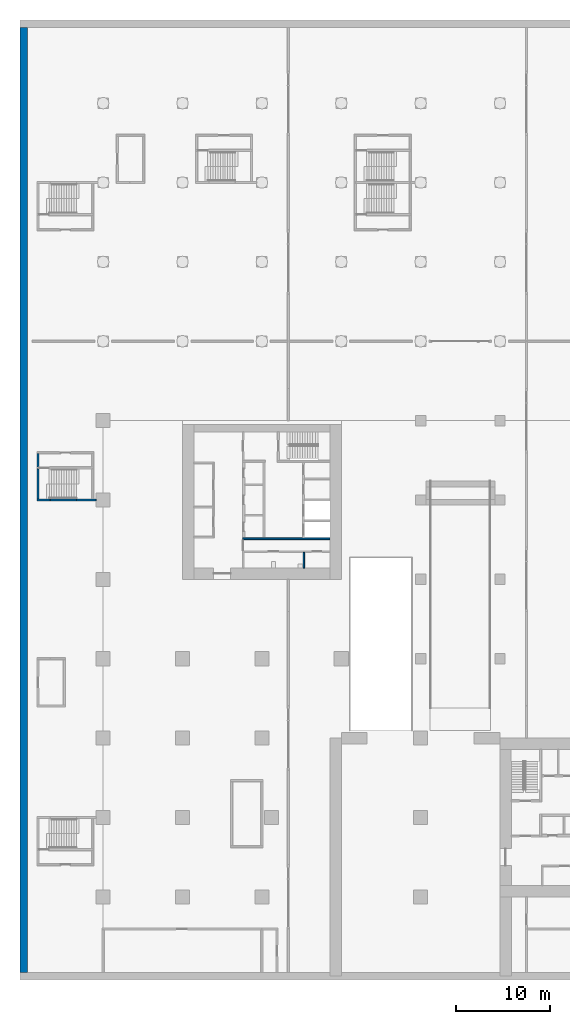
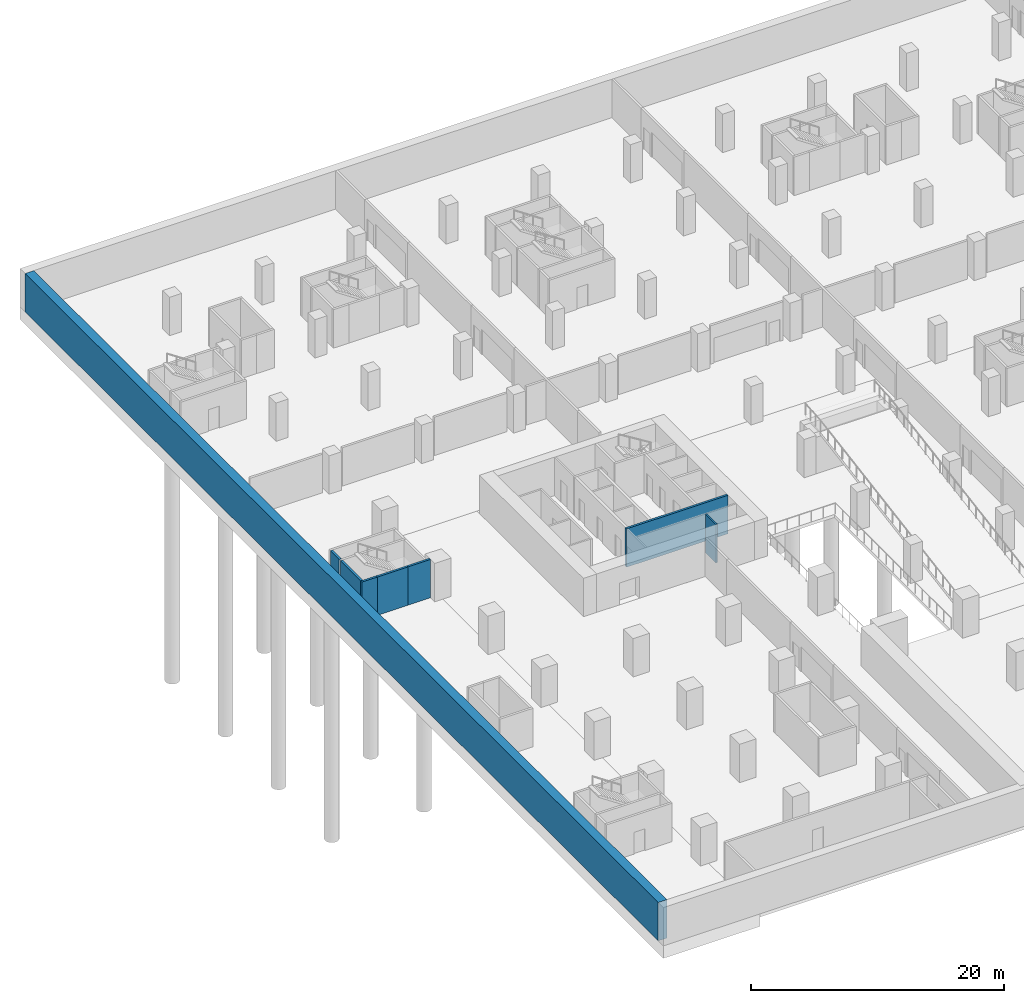
# One storey, part 5 of 19: 8 walls.
"""IFC4 building model written with IfcOpenShell, lengths in metres."""

from ifc_helpers import new_model, si_unit, direction, frame, frame_2d, origin, place, context, subcontext, project, spatial, rectangle, extrude, material, layer, layer_set, type_object, element, save


model = new_model("IFC4")

# Units and contexts
model_context = context("Model", 3, precision=1e-05, world=origin(), true_north=direction((0.0, 1.0)))
body_context = subcontext(model_context, "Body", "Model", "MODEL_VIEW")
ifc_project = project(units=[si_unit("LENGTHUNIT", "METRE"), si_unit("AREAUNIT", "SQUARE_METRE"), si_unit("VOLUMEUNIT", "CUBIC_METRE"), si_unit("PLANEANGLEUNIT", "RADIAN"), si_unit("MASSUNIT", "GRAM", prefix="KILO")], contexts=[model_context])

# Site, building, storey
site_placement = place(None, origin())
site = spatial("IfcSite", under=ifc_project, at=site_placement, CompositionType="ELEMENT")
building_placement = place(site_placement, origin())
building = spatial("IfcBuilding", under=site, at=building_placement, Name="Vermilion Gate Residences", CompositionType="ELEMENT")
storey_placement = place(building_placement, frame((0.0, 0.0, -8.0)))
storey = spatial("IfcBuildingStorey", under=building, at=storey_placement, Name="B2", CompositionType="ELEMENT", Elevation=-8.0)

# Walls
ifc_material_1 = material(Name="Masonry blockwork", Category="masonry")
ifc_layer_1 = layer(ifc_material_1, 0.14990234375)
ifc_layer_set_1 = layer_set([ifc_layer_1], Name="BLOCKWORK PARTITION 150 EI 120")
wall_type_1 = type_object("IfcWallType", Name="BLOCKWORK PARTITION 150 EI 120", PredefinedType="PARTITIONING", material=ifc_layer_set_1)
wall_1_placement = place(storey_placement, frame((21.239990234375, 44.85009765625, 0.0), z_axis=(0.0, 0.0, 1.0), x_axis=(0.0, -1.0, 0.0)))
element("IfcWall", 1, at=wall_1_placement, inside=storey, type_object=wall_type_1, Name="Core room partition BB2-ES-P0", PredefinedType="PARTITIONING", context=body_context, shape_type="SweptSolid", body=[
    extrude(rectangle(XDim=1.650146484375, YDim=0.14990234375, at=frame_2d((0.8251953125, 0.0))), origin(), (0.0, 0.0, 1.0), 3.699951171875),
])
ifc_material_2 = material(Name="Concrete C60", Category="concrete")
ifc_layer_2 = layer(ifc_material_2, 0.199951171875)
ifc_layer_set_2 = layer_set([ifc_layer_2], Name="RC CORE INTERNAL WALL 200 C60")
wall_type_2 = type_object("IfcWallType", Name="RC CORE INTERNAL WALL 200 C60", PredefinedType="SHEAR", material=ifc_layer_set_2)
wall_2_placement = place(storey_placement, frame((14.75, 46.300048828125, 0.0), z_axis=(0.0, 0.0, 1.0), x_axis=(1.0, 0.0, 0.0)))
element("IfcWall", 2, at=wall_2_placement, inside=storey, type_object=wall_type_2, Name="Core internal wall BB2-EDIV", PredefinedType="SHEAR", context=body_context, shape_type="SweptSolid", body=[
    extrude(rectangle(XDim=9.25, YDim=0.199951171875, at=frame_2d((4.625, 0.0))), origin(), (0.0, 0.0, 1.0), 3.699951171875),
])
ifc_material_3 = material(Name="Concrete C40", Category="concrete")
ifc_layer_3 = layer(ifc_material_3, 0.800048828125)
ifc_layer_set_3 = layer_set([ifc_layer_3], Name="RC DIAPHRAGM WALL 800 C40")
wall_type_3 = type_object("IfcWallType", Name="RC DIAPHRAGM WALL 800 C40", PredefinedType="SOLIDWALL", material=ifc_layer_set_3)
wall_3_placement = place(storey_placement, frame((-8.39990234375, 0.39990234375, 0.0), z_axis=(0.0, 0.0, 1.0), x_axis=(0.0, 1.0, 0.0)))
element("IfcWall", 3, at=wall_3_placement, inside=storey, type_object=wall_type_3, Name="Diaphragm wall B2 6", PredefinedType="SOLIDWALL", context=body_context, shape_type="SweptSolid", body=[
    extrude(rectangle(XDim=100.0, YDim=0.800048828125, at=frame_2d((50.0, 0.0))), origin(), (0.0, 0.0, 1.0), 3.699951171875),
])
ifc_material_4 = material(Name="Concrete C40", Category="concrete")
ifc_layer_4 = layer(ifc_material_4, 0.199951171875)
ifc_layer_set_4 = layer_set([ifc_layer_4], Name="RC STAIR AND SHAFT WALL 200 EI 180 C40 (AMENITY)")
wall_type_4 = type_object("IfcWallType", Name="RC STAIR AND SHAFT WALL 200 EI 180 C40 (AMENITY)", PredefinedType="SOLIDWALL", material=ifc_layer_set_4)
wall_4_placement = place(storey_placement, frame((-6.89990234375, 50.5, 0.0), z_axis=(0.0, 0.0, 1.0), x_axis=(0.0, 1.0, 0.0)))
element("IfcWall", 4, at=wall_4_placement, inside=storey, type_object=wall_type_4, Name="Stair and shaft wall 9", PredefinedType="SOLIDWALL", context=body_context, shape_type="SweptSolid", body=[
    extrude(rectangle(XDim=3.199951171875, YDim=0.199951171875, at=frame_2d((1.60009765625, 0.0))), origin(), (0.0, 0.0, 1.0), 3.699951171875),
])
wall_5_placement = place(storey_placement, frame((-7.0, 50.39990234375, 0.0), z_axis=(0.0, 0.0, 1.0), x_axis=(1.0, 0.0, 0.0)))
element("IfcWall", 5, at=wall_5_placement, inside=storey, type_object=wall_type_4, Name="Stair and shaft wall 10", PredefinedType="SOLIDWALL", context=body_context, shape_type="SweptSolid", body=[
    extrude(rectangle(XDim=1.39990234375, YDim=0.199951171875, at=frame_2d((0.699951171875, 0.0))), origin(), (0.0, 0.0, 1.0), 3.699951171875),
])
wall_6_placement = place(storey_placement, frame((-6.89990234375, 53.89990234375, 0.0), z_axis=(0.0, 0.0, 1.0), x_axis=(0.0, 1.0, 0.0)))
element("IfcWall", 6, at=wall_6_placement, inside=storey, type_object=wall_type_4, Name="Stair and shaft wall 11", PredefinedType="SOLIDWALL", context=body_context, shape_type="SweptSolid", body=[
    extrude(rectangle(XDim=1.400146484375, YDim=0.199951171875, at=frame_2d((0.7001953125, 0.0))), origin(), (0.0, 0.0, 1.0), 3.699951171875),
])
wall_7_placement = place(storey_placement, frame((-5.60009765625, 50.39990234375, 0.0), z_axis=(0.0, 0.0, 1.0), x_axis=(1.0, 0.0, 0.0)))
element("IfcWall", 7, at=wall_7_placement, inside=storey, type_object=wall_type_4, Name="Stair and shaft wall 21", PredefinedType="SOLIDWALL", context=body_context, shape_type="SweptSolid", body=[
    extrude(rectangle(XDim=2.800048828125, YDim=0.199951171875, at=frame_2d((1.39990234375, 0.0))), origin(), (0.0, 0.0, 1.0), 3.699951171875),
])
wall_8_placement = place(storey_placement, frame((-2.800048828125, 50.39990234375, 0.0), z_axis=(0.0, 0.0, 1.0), x_axis=(1.0, 0.0, 0.0)))
element("IfcWall", 8, at=wall_8_placement, inside=storey, type_object=wall_type_4, Name="Stair and shaft wall 25", PredefinedType="SOLIDWALL", context=body_context, shape_type="SweptSolid", body=[
    extrude(rectangle(XDim=2.050048828125, YDim=0.199951171875, at=frame_2d((1.02490234375, 0.0))), origin(), (0.0, 0.0, 1.0), 3.699951171875),
])

save(model, "model.ifc")
